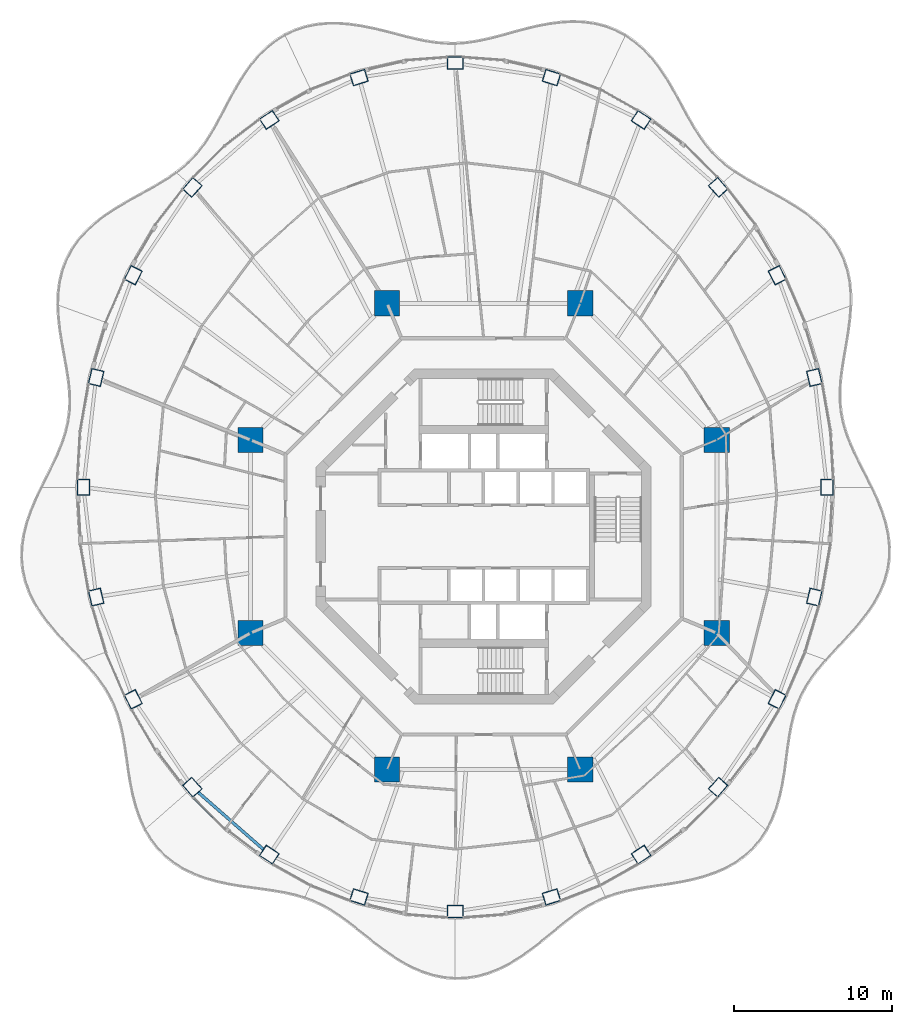
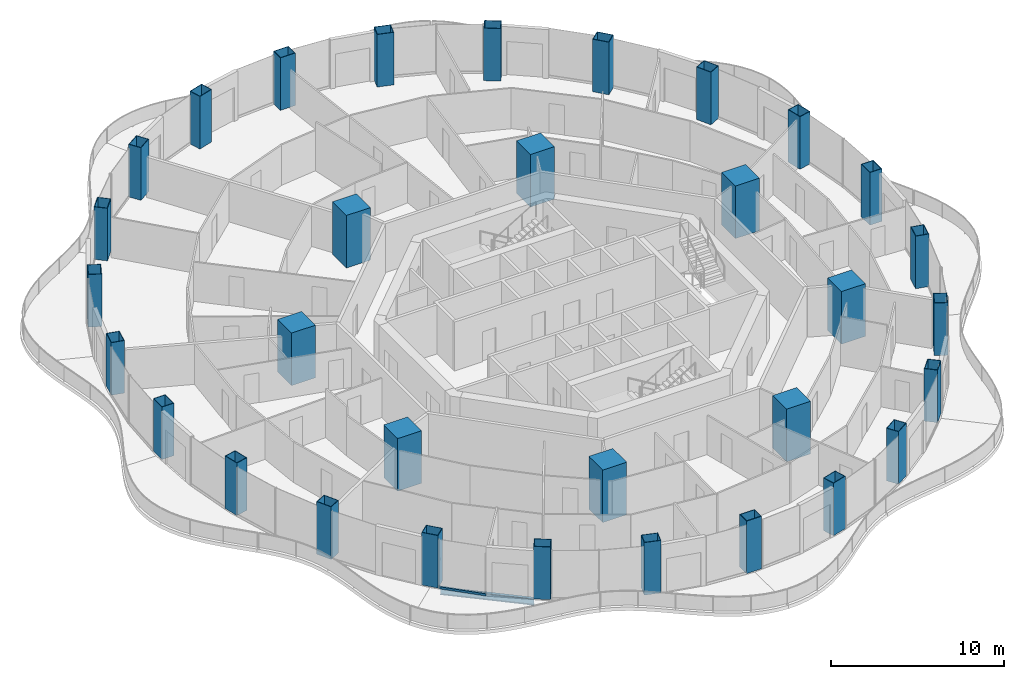
# One storey, part 1 of 18: 32 columns, 1 beam, 1 member, 1 element without a shape of its own.
"""IFC4 building model written with IfcOpenShell, lengths in metres."""

from ifc_helpers import new_model, si_unit, direction, frame, origin, origin_2d, place, context, subcontext, project, spatial, rectangle, hollow_rectangle, i_section, extrude, material, layer, layer_set, material_profile, profile_set, type_object, element, aggregate, save


model = new_model("IFC4")

# Units and contexts
model_context = context("Model", 3, precision=1e-05, world=origin(), true_north=direction((0.0, 1.0)))
body_context = subcontext(model_context, "Body", "Model", "MODEL_VIEW")
ifc_project = project(units=[si_unit("LENGTHUNIT", "METRE"), si_unit("AREAUNIT", "SQUARE_METRE"), si_unit("VOLUMEUNIT", "CUBIC_METRE"), si_unit("PLANEANGLEUNIT", "RADIAN"), si_unit("MASSUNIT", "GRAM", prefix="KILO")], contexts=[model_context])

# Site, building, storey
site_placement = place(None, origin())
site = spatial("IfcSite", under=ifc_project, at=site_placement, CompositionType="ELEMENT")
building_placement = place(site_placement, origin())
building = spatial("IfcBuilding", under=site, at=building_placement, Name="Nagisa Residences", CompositionType="ELEMENT")
storey_placement = place(building_placement, frame((0.0, 0.0, 223.300048828125)))
storey = spatial("IfcBuildingStorey", under=building, at=storey_placement, Name="L56", CompositionType="ELEMENT", Elevation=223.300048828125)

# Columns
ifc_material_1 = material(Name="Concrete C80", Category="concrete")
ifc_material_profile_1 = material_profile(ifc_material_1, rectangle(XDim=1.60009765625, YDim=1.60009765625, at=origin_2d()), Name="C80 1600x1600")
ifc_profile_set_1 = profile_set([ifc_material_profile_1], Name="Concrete C80")
column_type_1 = type_object("IfcColumnType", Name="Inner megacolumn C80 1600x1600", PredefinedType="COLUMN", material=ifc_profile_set_1)
for number, where, z_axis, x_axis, name in (
    (1, (14.781982421875, 6.123046875, 0.0), (0.0, 0.0, 1.0), (1.0, 0.0, 0.0), "col:L56:i1"),
    (2, (6.123046875, 14.781982421875, 0.0), (0.0, 0.0, 1.0), (1.0, 0.0, 0.0), "col:L56:i2"),
    (3, (-6.123046875, 14.781982421875, 0.0), (0.0, 0.0, 1.0), (1.0, 0.0, 0.0), "col:L56:i3"),
    (4, (-14.781982421875, 6.123046875, 0.0), (0.0, 0.0, 1.0), (1.0, 0.0, 0.0), "col:L56:i4"),
    (5, (-14.781982421875, -6.123046875, 0.0), (0.0, 0.0, 1.0), (1.0, 0.0, 0.0), "col:L56:i5"),
    (6, (-6.123046875, -14.781982421875, 0.0), (0.0, 0.0, 1.0), (1.0, 0.0, 0.0), "col:L56:i6"),
    (7, (6.123046875, -14.781982421875, 0.0), (0.0, 0.0, 1.0), (1.0, 0.0, 0.0), "col:L56:i7"),
    (8, (14.781982421875, -6.123046875, 0.0), (0.0, 0.0, 1.0), (1.0, 0.0, 0.0), "col:L56:i8"),
):
    element("IfcColumn", number, at=place(storey_placement, frame(where, z_axis=z_axis, x_axis=x_axis)), inside=storey, type_object=column_type_1, Name=name, PredefinedType="COLUMN", context=body_context, shape_type="SweptSolid", body=[
        extrude(rectangle(XDim=1.60009765625, YDim=1.60009765625, at=origin_2d()), origin(), (0.0, 0.0, 1.0), 3.699951171875),
    ])
ifc_material_2 = material(Name="Steel ASTM A572 Gr 50", Category="steel")
ifc_material_profile_2 = material_profile(ifc_material_2, hollow_rectangle(XDim=1.0, YDim=0.800048828125, WallThickness=0.031982421875, at=origin_2d()), Name="BX 1000x800x32")
ifc_profile_set_2 = profile_set([ifc_material_profile_2], Name="Steel ASTM A572 Gr 50")
column_type_2 = type_object("IfcColumnType", Name="Perimeter column BX 1000x800x32", PredefinedType="COLUMN", material=ifc_profile_set_2)
for number, where, z_axis, x_axis, name in (
    (9, (21.77001953125, 3.11767578125, 0.0), (0.0, 0.0, 1.0), (0.0, 1.0, 0.0), "col:L56:p00"),
    (10, (20.966796875, 10.077392578125, 0.0), (0.0, 0.0, 1.0), (-0.229202013103, 0.973378876486, 0.0), "col:L56:p01"),
    (11, (18.6123046875, 16.562744140625, 0.0), (0.0, 0.0, 1.0), (-0.452462697578, 0.891783329795, 0.0), "col:L56:p02"),
    (12, (14.866455078125, 22.1318359375, 0.0), (0.0, 0.0, 1.0), (-0.660114607735, 0.751164898445, 0.0), "col:L56:p03"),
    (13, (9.985107421875, 26.405029296875, 0.0), (0.0, 0.0, 1.0), (-0.835766105673, 0.54908561865, 0.0), "col:L56:p04"),
    (14, (4.30029296875, 29.091552734375, 0.0), (0.0, 0.0, 1.0), (-0.956524583408, 0.291651712384, 0.0), "col:L56:p05"),
    (15, (-1.800048828125, 30.0078125, 0.0), (0.0, 0.0, 1.0), (-1.0, 0.0, 0.0), "col:L56:p06"),
    (16, (-7.900390625, 29.091552734375, 0.0), (0.0, 0.0, 1.0), (-0.956524583408, -0.291651712384, 0.0), "col:L56:p07"),
    (17, (-13.5849609375, 26.405029296875, 0.0), (0.0, 0.0, 1.0), (-0.835766105673, -0.54908561865, 0.0), "col:L56:p08"),
    (18, (-18.466552734375, 22.1318359375, 0.0), (0.0, 0.0, 1.0), (-0.660114607735, -0.751164898445, 0.0), "col:L56:p09"),
    (19, (-22.212158203125, 16.562744140625, 0.0), (0.0, 0.0, 1.0), (-0.452462697578, -0.891783329795, 0.0), "col:L56:p10"),
    (20, (-24.56689453125, 10.077392578125, 0.0), (0.0, 0.0, 1.0), (-0.229202013103, -0.973378876486, 0.0), "col:L56:p11"),
    (21, (-25.3701171875, 3.11767578125, 0.0), (0.0, 0.0, 1.0), (0.0, -1.0, 0.0), "col:L56:p12"),
    (22, (-24.56689453125, -3.842041015625, 0.0), (0.0, 0.0, 1.0), (0.229202013103, -0.973378876486, 0.0), "col:L56:p13"),
    (23, (-22.212158203125, -10.327392578125, 0.0), (0.0, 0.0, 1.0), (0.452462697578, -0.891783329795, 0.0), "col:L56:p14"),
    (24, (-18.466552734375, -15.896484375, 0.0), (0.0, 0.0, 1.0), (0.660114607735, -0.751164898445, 0.0), "col:L56:p15"),
    (25, (-13.5849609375, -20.169677734375, 0.0), (0.0, 0.0, 1.0), (0.835766105673, -0.54908561865, 0.0), "col:L56:p16"),
    (26, (-7.900390625, -22.85595703125, 0.0), (0.0, 0.0, 1.0), (0.956524583408, -0.291651712384, 0.0), "col:L56:p17"),
    (27, (-1.800048828125, -23.772216796875, 0.0), (0.0, 0.0, 1.0), (1.0, 0.0, 0.0), "col:L56:p18"),
    (28, (4.30029296875, -22.85595703125, 0.0), (0.0, 0.0, 1.0), (0.956524583408, 0.291651712384, 0.0), "col:L56:p19"),
    (29, (9.985107421875, -20.169677734375, 0.0), (0.0, 0.0, 1.0), (0.835766105673, 0.54908561865, 0.0), "col:L56:p20"),
    (30, (14.866455078125, -15.896484375, 0.0), (0.0, 0.0, 1.0), (0.660114607735, 0.751164898445, 0.0), "col:L56:p21"),
    (31, (18.6123046875, -10.327392578125, 0.0), (0.0, 0.0, 1.0), (0.452462697578, 0.891783329795, 0.0), "col:L56:p22"),
    (32, (20.966796875, -3.842041015625, 0.0), (0.0, 0.0, 1.0), (0.229202013103, 0.973378876486, 0.0), "col:L56:p23"),
):
    element("IfcColumn", number, at=place(storey_placement, frame(where, z_axis=z_axis, x_axis=x_axis)), inside=storey, type_object=column_type_2, Name=name, PredefinedType="COLUMN", context=body_context, shape_type="SweptSolid", body=[
        extrude(hollow_rectangle(XDim=1.0, YDim=0.800048828125, WallThickness=0.031982421875, at=origin_2d()), origin(), (0.0, 0.0, 1.0), 3.699951171875),
    ])

# Curtain wall, member
ifc_material_3 = material(Name="Concrete-coloured aluminium curtain wall system", Category="concrete")
ifc_layer = layer(ifc_material_3, 0.159912109375)
ifc_layer_set = layer_set([ifc_layer], Name="CW1 CURTAIN WALL")
curtain_wall_type = type_object("IfcCurtainWallType", Name="CW1 CURTAIN WALL", PredefinedType="NOTDEFINED", material=ifc_layer_set)
curtain_wall_placement = place(storey_placement, origin())
curtain_wall = element("IfcCurtainWall", 33, at=curtain_wall_placement, inside=storey, type_object=curtain_wall_type, Name="cw:CW1:L56:30", PredefinedType="NOTDEFINED")
ifc_material_4 = material(Name="Concrete-coloured aluminium", Category="concrete")
ifc_material_profile_3 = material_profile(ifc_material_4, rectangle(XDim=0.1201171875, YDim=0.14990234375, at=origin_2d()), Name="CW1 TRANSOM 120x150")
ifc_profile_set_3 = profile_set([ifc_material_profile_3], Name="Concrete-coloured aluminium")
member_type = type_object("IfcMemberType", Name="CW1 TRANSOM 120x150", PredefinedType="USERDEFINED", material=ifc_profile_set_3)
member_placement = place(storey_placement, frame((-18.40966796875, -16.546630859375, 0.074951171875), z_axis=(0.707836044127, -0.706376765356, 0.0), x_axis=(0.706376765356, 0.707836044127, 0.0)))
member = element("IfcMember", 34, at=member_placement, type_object=member_type, Name="CW1 transom", ObjectType="TRANSOM", PredefinedType="USERDEFINED", context=body_context, shape_type="SweptSolid", body=[
    extrude(rectangle(XDim=0.1201171875, YDim=0.14990234375, at=origin_2d()), origin(), (0.0, 0.0, 1.0), 2.84423828125),
])
aggregate(curtain_wall, [member])

# Beam
ifc_material_5 = material(Name="Steel ASTM A572 Gr 50", Category="steel")
ifc_material_profile_4 = material_profile(ifc_material_5, i_section(OverallWidth=0.18994140625, OverallDepth=0.45703125, WebThickness=0.009033203125, FlangeThickness=0.014404296875, at=origin_2d()), Name="W460x74")
ifc_profile_set_4 = profile_set([ifc_material_profile_4], Name="Steel ASTM A572 Gr 50")
beam_type = type_object("IfcBeamType", Name="Perimeter ring beam W460x74", PredefinedType="BEAM", material=ifc_profile_set_4)
beam_placement = place(storey_placement, frame((-18.10205078125, -16.21533203125, -0.488525390625), z_axis=(0.75242320672, -0.65867998147, 0.0), x_axis=(0.65867998147, 0.75242320672, 0.0)))
element("IfcBeam", 35, at=beam_placement, inside=storey, type_object=beam_type, Name="beam:L56:pb16", PredefinedType="BEAM", context=body_context, shape_type="SweptSolid", body=[
    extrude(i_section(OverallWidth=0.18994140625, OverallDepth=0.45703125, WebThickness=0.009033203125, FlangeThickness=0.014404296875, at=origin_2d()), origin(), (0.0, 0.0, 1.0), 5.5185546875),
])

save(model, "model.ifc")
